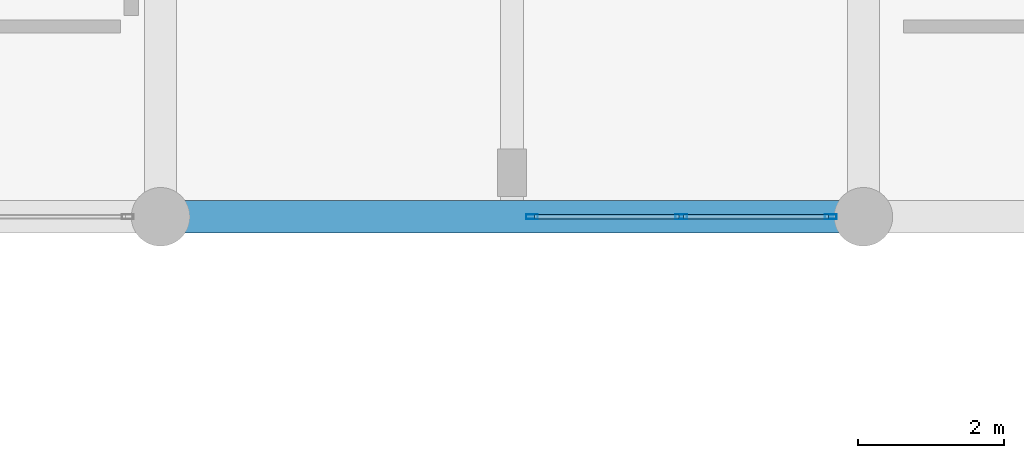
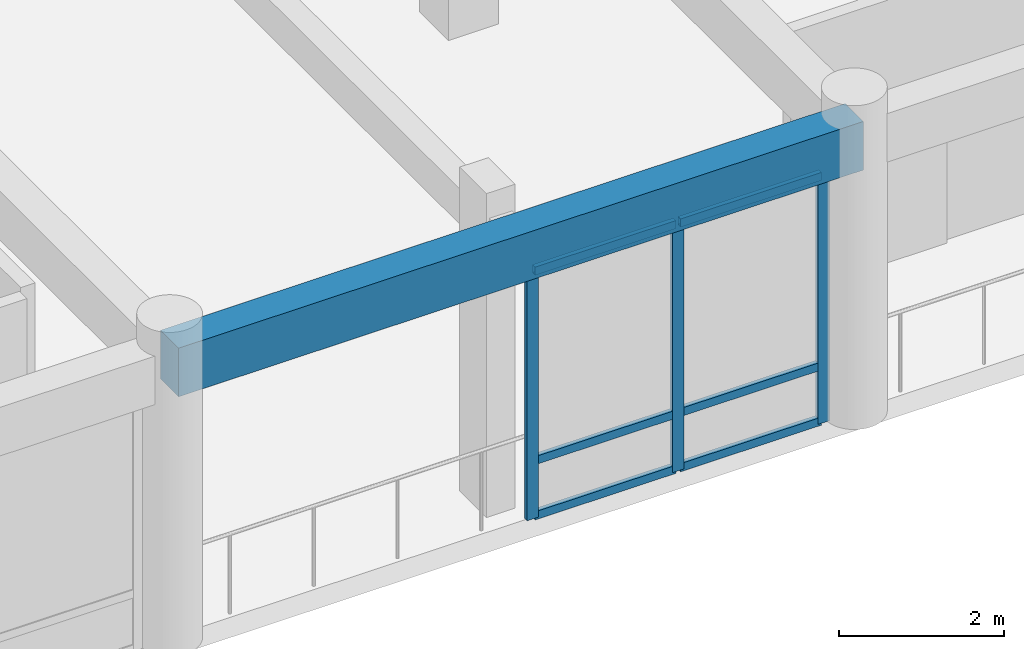
# One storey, part 36 of 133: 9 members, 1 beam, 1 element without a shape of its own.
"""IFC4 building model written with IfcOpenShell, lengths in metres."""

from ifc_helpers import new_model, si_unit, direction, frame, origin, origin_2d, place, context, subcontext, project, spatial, rectangle, hollow_rectangle, extrude, material, layer, layer_set, material_profile, profile_set, type_object, element, aggregate, save


model = new_model("IFC4")

# Units and contexts
model_context = context("Model", 3, precision=1e-05, world=origin(), true_north=direction((0.0, 1.0)))
body_context = subcontext(model_context, "Body", "Model", "MODEL_VIEW")
ifc_project = project(units=[si_unit("LENGTHUNIT", "METRE"), si_unit("AREAUNIT", "SQUARE_METRE"), si_unit("VOLUMEUNIT", "CUBIC_METRE"), si_unit("PLANEANGLEUNIT", "RADIAN"), si_unit("MASSUNIT", "GRAM", prefix="KILO")], contexts=[model_context])

# Site, building, storey
site_placement = place(None, origin())
site = spatial("IfcSite", under=ifc_project, at=site_placement, CompositionType="ELEMENT")
building_placement = place(site_placement, origin())
building = spatial("IfcBuilding", under=site, at=building_placement, Name="Nakhvara Creek Congress Hotel", CompositionType="ELEMENT")
storey_placement = place(building_placement, frame((0.0, 0.0, 11.39990234375)))
storey = spatial("IfcBuildingStorey", under=building, at=storey_placement, Name="L02", CompositionType="ELEMENT", Elevation=11.39990234375)

# Beam
ifc_material_1 = material(Name="Concrete C40/50", Category="concrete")
ifc_material_profile_1 = material_profile(ifc_material_1, rectangle(XDim=0.43994140625, YDim=0.719970703125, at=origin_2d()), Name="RC-BM 440x720", Category="LoadBearing")
ifc_profile_set_1 = profile_set([ifc_material_profile_1], Name="Concrete C40/50")
beam_type = type_object("IfcBeamType", Name="BM-RC-440X720", PredefinedType="BEAM", material=ifc_profile_set_1)
beam_placement = place(storey_placement, frame((86.39990234375, 76.800048828125, 4.06005859375), z_axis=(1.0, 0.0, 0.0), x_axis=(0.0, 1.0, 0.0)))
element("IfcBeam", 1, at=beam_placement, inside=storey, type_object=beam_type, Name="Beam B12-L02-1475", PredefinedType="BEAM", context=body_context, shape_type="SweptSolid", body=[
    extrude(rectangle(XDim=0.43994140625, YDim=0.719970703125, at=origin_2d()), origin(), (0.0, 0.0, 1.0), 9.60009765625),
])

# Curtain wall, members
ifc_material_2 = material(Name="Bronze-anodised aluminium AW-6063-T6 and double-silver low-E glass", Category="aluminium")
ifc_layer = layer(ifc_material_2, 0.199951171875)
ifc_layer_set = layer_set([ifc_layer], Name="Bronze-anodised aluminium AW-6063-T6 and double-silver low-E glass")
curtain_wall_type = type_object("IfcCurtainWallType", Name="CW-POD-STICK", PredefinedType="NOTDEFINED", material=ifc_layer_set)
curtain_wall_placement = place(storey_placement, origin())
curtain_wall = element("IfcCurtainWall", 2, at=curtain_wall_placement, inside=storey, type_object=curtain_wall_type, Name="Curtain Wall CW036", PredefinedType="NOTDEFINED")
ifc_material_3 = material(Name="Bronze-anodised aluminium AW-6063-T6", Category="aluminium")
ifc_material_profile_2 = material_profile(ifc_material_3, hollow_rectangle(XDim=0.06494140625, YDim=0.159912109375, WallThickness=0.00390625, at=origin_2d()), Name="ALU-MULL 65x160x4", Category="LoadBearing")
ifc_profile_set_2 = profile_set([ifc_material_profile_2], Name="Bronze-anodised aluminium AW-6063-T6")
member_type_1 = type_object("IfcMemberType", Name="CW-MULL-160", PredefinedType="MULLION", material=ifc_profile_set_2)
member_1_placement = place(storey_placement, frame((95.552490234375, 76.800048828125, 0.0), z_axis=(0.0, 0.0, 1.0), x_axis=(0.0, -1.0, 0.0)))
member_1 = element("IfcMember", 3, at=member_1_placement, type_object=member_type_1, Name="CW036 mullion 1", PredefinedType="MULLION", context=body_context, shape_type="SweptSolid", body=[
    extrude(hollow_rectangle(XDim=0.06494140625, YDim=0.159912109375, WallThickness=0.00390625, at=origin_2d()), origin(), (0.0, 0.0, 1.0), 3.692138671875),
])
member_2_placement = place(storey_placement, frame((93.512451171875, 76.800048828125, 0.0), z_axis=(0.0, 0.0, 1.0), x_axis=(0.0, -1.0, 0.0)))
member_2 = element("IfcMember", 4, at=member_2_placement, type_object=member_type_1, Name="CW036 mullion 2", PredefinedType="MULLION", context=body_context, shape_type="SweptSolid", body=[
    extrude(hollow_rectangle(XDim=0.06494140625, YDim=0.159912109375, WallThickness=0.00390625, at=origin_2d()), origin(), (0.0, 0.0, 1.0), 3.692138671875),
])
member_3_placement = place(storey_placement, frame((91.472412109375, 76.800048828125, 0.0), z_axis=(0.0, 0.0, 1.0), x_axis=(0.0, -1.0, 0.0)))
member_3 = element("IfcMember", 5, at=member_3_placement, type_object=member_type_1, Name="CW036 mullion 3", PredefinedType="MULLION", context=body_context, shape_type="SweptSolid", body=[
    extrude(hollow_rectangle(XDim=0.06494140625, YDim=0.159912109375, WallThickness=0.00390625, at=origin_2d()), origin(), (0.0, 0.0, 1.0), 3.692138671875),
])
ifc_material_profile_3 = material_profile(ifc_material_3, hollow_rectangle(XDim=0.06494140625, YDim=0.1201171875, WallThickness=0.00390625, at=origin_2d()), Name="ALU-TRAN 65x120x4", Category="LoadBearing")
ifc_profile_set_3 = profile_set([ifc_material_profile_3], Name="Bronze-anodised aluminium AW-6063-T6")
member_type_2 = type_object("IfcMemberType", Name="CW-TRAN-120", PredefinedType="USERDEFINED", material=ifc_profile_set_3)
member_4_placement = place(storey_placement, frame((95.52001953125, 76.800048828125, 0.03271484375), z_axis=(-1.0, 0.0, 0.0), x_axis=(0.0, -1.0, 0.0)))
member_4 = element("IfcMember", 6, at=member_4_placement, type_object=member_type_2, Name="CW036 transom 1.1", ObjectType="TRANSOM", PredefinedType="USERDEFINED", context=body_context, shape_type="SweptSolid", body=[
    extrude(hollow_rectangle(XDim=0.06494140625, YDim=0.1201171875, WallThickness=0.00390625, at=origin_2d()), origin(), (0.0, 0.0, 1.0), 1.97509765625),
])
member_5_placement = place(storey_placement, frame((95.52001953125, 76.800048828125, 0.85009765625), z_axis=(-1.0, 0.0, 0.0), x_axis=(0.0, -1.0, 0.0)))
member_5 = element("IfcMember", 7, at=member_5_placement, type_object=member_type_2, Name="CW036 transom 1.2", ObjectType="TRANSOM", PredefinedType="USERDEFINED", context=body_context, shape_type="SweptSolid", body=[
    extrude(hollow_rectangle(XDim=0.06494140625, YDim=0.1201171875, WallThickness=0.00390625, at=origin_2d()), origin(), (0.0, 0.0, 1.0), 1.97509765625),
])
member_6_placement = place(storey_placement, frame((95.52001953125, 76.800048828125, 3.65966796875), z_axis=(-1.0, 0.0, 0.0), x_axis=(0.0, -1.0, 0.0)))
member_6 = element("IfcMember", 8, at=member_6_placement, type_object=member_type_2, Name="CW036 transom 1.3", ObjectType="TRANSOM", PredefinedType="USERDEFINED", context=body_context, shape_type="SweptSolid", body=[
    extrude(hollow_rectangle(XDim=0.06494140625, YDim=0.1201171875, WallThickness=0.00390625, at=origin_2d()), origin(), (0.0, 0.0, 1.0), 1.97509765625),
])
member_7_placement = place(storey_placement, frame((93.47998046875, 76.800048828125, 0.03271484375), z_axis=(-1.0, 0.0, 0.0), x_axis=(0.0, -1.0, 0.0)))
member_7 = element("IfcMember", 9, at=member_7_placement, type_object=member_type_2, Name="CW036 transom 2.1", ObjectType="TRANSOM", PredefinedType="USERDEFINED", context=body_context, shape_type="SweptSolid", body=[
    extrude(hollow_rectangle(XDim=0.06494140625, YDim=0.1201171875, WallThickness=0.00390625, at=origin_2d()), origin(), (0.0, 0.0, 1.0), 1.97509765625),
])
member_8_placement = place(storey_placement, frame((93.47998046875, 76.800048828125, 0.85009765625), z_axis=(-1.0, 0.0, 0.0), x_axis=(0.0, -1.0, 0.0)))
member_8 = element("IfcMember", 10, at=member_8_placement, type_object=member_type_2, Name="CW036 transom 2.2", ObjectType="TRANSOM", PredefinedType="USERDEFINED", context=body_context, shape_type="SweptSolid", body=[
    extrude(hollow_rectangle(XDim=0.06494140625, YDim=0.1201171875, WallThickness=0.00390625, at=origin_2d()), origin(), (0.0, 0.0, 1.0), 1.97509765625),
])
member_9_placement = place(storey_placement, frame((93.47998046875, 76.800048828125, 3.65966796875), z_axis=(-1.0, 0.0, 0.0), x_axis=(0.0, -1.0, 0.0)))
member_9 = element("IfcMember", 11, at=member_9_placement, type_object=member_type_2, Name="CW036 transom 2.3", ObjectType="TRANSOM", PredefinedType="USERDEFINED", context=body_context, shape_type="SweptSolid", body=[
    extrude(hollow_rectangle(XDim=0.06494140625, YDim=0.1201171875, WallThickness=0.00390625, at=origin_2d()), origin(), (0.0, 0.0, 1.0), 1.97509765625),
])
aggregate(curtain_wall, [member_1, member_2, member_3, member_4, member_5, member_6, member_7, member_8, member_9])

save(model, "model.ifc")
